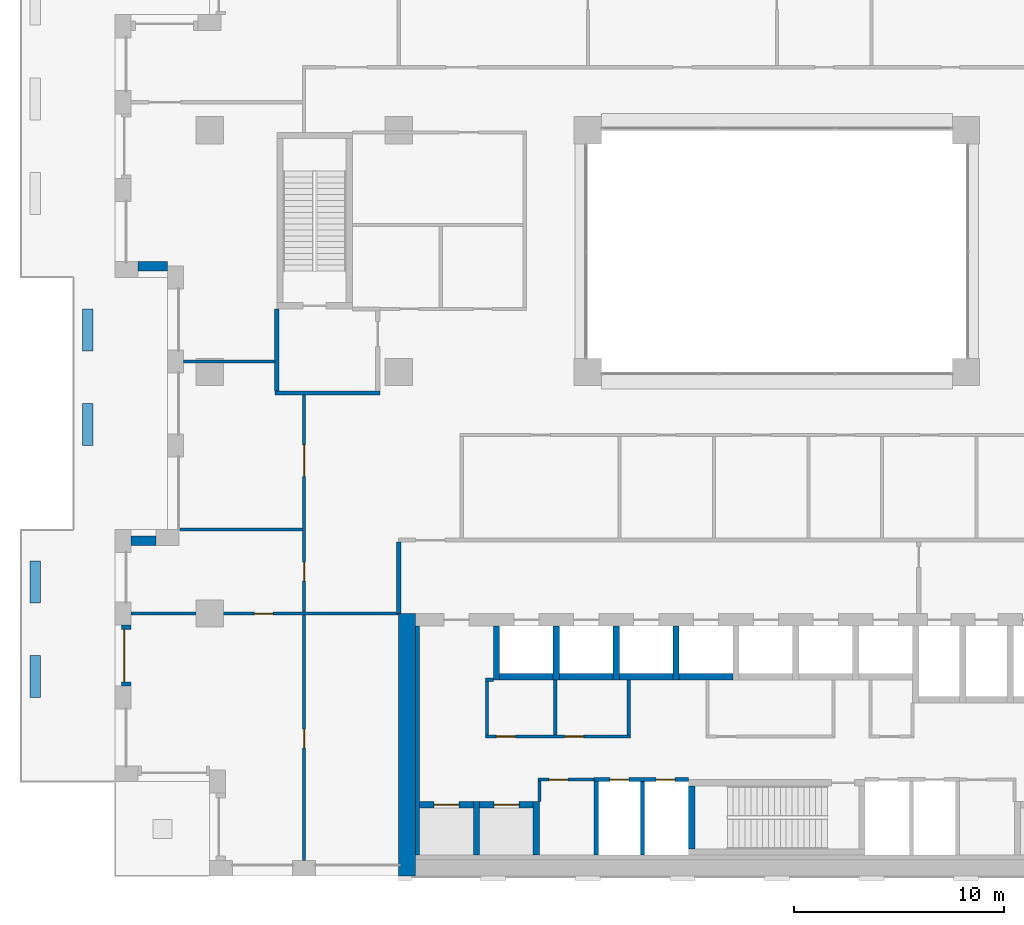
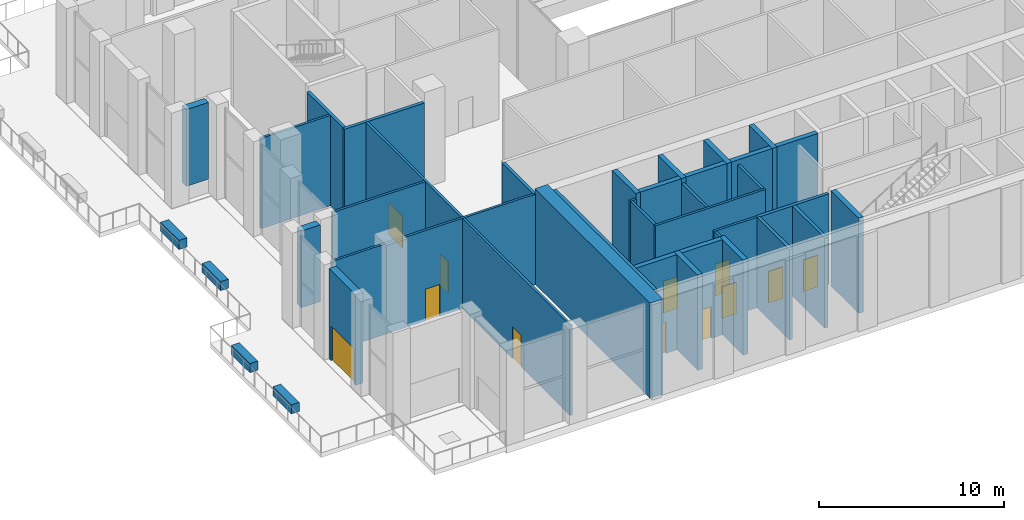
# One storey, part 13 of 21: 40 walls, 12 doors, 12 openings.
"""IFC4 building model written with IfcOpenShell, lengths in metres."""

import ifcopenshell
import ifcopenshell.guid

model = None  # the IFC model being written
_history = None  # IfcOwnerHistory: only IFC2X3 demands one
_inside = {}  # id of a spatial element -> (the spatial element, [elements in it])
_under = {}  # id of a project, library or spatial element -> (it, [spatial elements below it])
_declared = {}  # id of a project -> (the project, [libraries it declares])
_typed = {}  # id of a type object -> (the type object, [elements of that type])
_made_of = {}  # id of a material, layer set ... -> (it, [elements and type objects made of it])


def new_model(schema):
    """Start an empty IFC model of exactly this schema.

    Asked for "IFC4X3", IfcOpenShell would pick the latest addendum, in which some entities
    have other attributes; the version numbers below select the first issue.
    IFC2X3 requires an IfcOwnerHistory on every rooted entity: one is made here for all.
    """
    global model, _history
    if schema == "IFC4X3":
        model = ifcopenshell.file(schema_version=(4, 3, 0, 0))
    else:
        model = ifcopenshell.file(schema=schema)
    _inside.clear()
    _under.clear()
    _declared.clear()
    _typed.clear()
    _made_of.clear()
    _history = None
    if model.schema == "IFC2X3":
        org = make("IfcOrganization", Name="unknown")
        user = make(
            "IfcPersonAndOrganization",
            ThePerson=make("IfcPerson", FamilyName="unknown"),
            TheOrganization=org,
        )
        app = make(
            "IfcApplication",
            ApplicationDeveloper=org,
            Version="unknown",
            ApplicationFullName="unknown",
            ApplicationIdentifier="unknown",
        )
        _history = make(
            "IfcOwnerHistory",
            OwningUser=user,
            OwningApplication=app,
            ChangeAction="ADDED",
            CreationDate=0,
        )
    return model


def make(cls, **values):
    """One entity of the class cls with the attributes given. An attribute that is None is left unset."""
    return model.create_entity(
        cls, **{name: value for name, value in values.items() if value is not None}
    )


def rooted(cls, **values):
    """An entity with a GlobalId (a new one), such as an element, a storey or a relation."""
    return make(cls, GlobalId=ifcopenshell.guid.new(), OwnerHistory=_history, **values)


def si_unit(unit_type, name, prefix=None):
    """IfcSIUnit, for example si_unit("LENGTHUNIT", "METRE", prefix="MILLI")."""
    return make("IfcSIUnit", UnitType=unit_type, Prefix=prefix, Name=name)


def assignment(units):
    """IfcUnitAssignment: the units of a project."""
    return None if units is None else make("IfcUnitAssignment", Units=units)


def point(xyz):
    """IfcCartesianPoint."""
    return None if xyz is None else make("IfcCartesianPoint", Coordinates=xyz)


def direction(xyz):
    """IfcDirection."""
    return None if xyz is None else make("IfcDirection", DirectionRatios=xyz)


def frame(location, z_axis=None, x_axis=None):
    """IfcAxis2Placement3D, a coordinate frame: its origin and axes. An axis left out is left unset."""
    return make(
        "IfcAxis2Placement3D",
        Location=point(location),
        Axis=direction(z_axis),
        RefDirection=direction(x_axis),
    )


def frame_2d(location, x_axis=None):
    """IfcAxis2Placement2D, a coordinate frame in the plane: its origin and x axis."""
    return make(
        "IfcAxis2Placement2D", Location=point(location), RefDirection=direction(x_axis)
    )


def origin():
    """The frame at (0, 0, 0) with its axes left unset."""
    return frame((0.0, 0.0, 0.0))


def place(relative_to, where):
    """IfcLocalPlacement: puts the frame where relative to a parent placement (None: the world)."""
    return make(
        "IfcLocalPlacement", PlacementRelTo=relative_to, RelativePlacement=where
    )


def context(
    kind, dimensions, precision=None, world=None, true_north=None, identifier=None
):
    """IfcGeometricRepresentationContext, for example the 3D "Model" context."""
    return make(
        "IfcGeometricRepresentationContext",
        ContextIdentifier=identifier,
        ContextType=kind,
        CoordinateSpaceDimension=dimensions,
        Precision=precision,
        WorldCoordinateSystem=world,
        TrueNorth=true_north,
    )


def subcontext(parent, identifier, kind, view, scale=None):
    """IfcGeometricRepresentationSubContext, for example "Body" below "Model"."""
    return make(
        "IfcGeometricRepresentationSubContext",
        ContextIdentifier=identifier,
        ContextType=kind,
        ParentContext=parent,
        TargetScale=scale,
        TargetView=view,
    )


def project(units=None, contexts=None):
    """IfcProject with its units and contexts."""
    return rooted(
        "IfcProject",
        Name="project",
        RepresentationContexts=contexts,
        UnitsInContext=assignment(units),
    )


def spatial(cls, under=None, at=None, **own):
    """A site, building, storey or space (cls), placed at a placement, below another one or the project."""
    s = rooted(cls, ObjectPlacement=at, **own)
    if under is not None:
        _under.setdefault(under.id(), (under, []))[1].append(s)
    return s


def profile(cls, at=None, kind="AREA", **sizes):
    """A parametric profile (cls). Its sizes go by their IFC names, for example OverallWidth=200.0."""
    return make(cls, ProfileType=kind, Position=at, **sizes)


def rectangle(**sizes):
    """IfcRectangleProfileDef."""
    return profile("IfcRectangleProfileDef", **sizes)


def extrude(swept, where, along, depth):
    """IfcExtrudedAreaSolid: the profile swept, set in the frame where, extruded along a direction by depth."""
    return make(
        "IfcExtrudedAreaSolid",
        SweptArea=swept,
        Position=where,
        ExtrudedDirection=direction(along),
        Depth=depth,
    )


def shape(context_of_items, identifier, shape_type, items):
    """IfcShapeRepresentation: the items that make up one representation, for example the "Body"."""
    return make(
        "IfcShapeRepresentation",
        ContextOfItems=context_of_items,
        RepresentationIdentifier=identifier,
        RepresentationType=shape_type,
        Items=items,
    )


def material(Name=None, Category=None):
    """IfcMaterial."""
    return make("IfcMaterial", Name=Name, Category=Category)


def layer(
    of_material, thickness, ventilated=None, Name=None, Category=None, Priority=None
):
    """IfcMaterialLayer: one layer of a wall or slab, of a material (None: an air gap)."""
    return make(
        "IfcMaterialLayer",
        Material=of_material,
        LayerThickness=thickness,
        IsVentilated=ventilated,
        Name=Name,
        Category=Category,
        Priority=Priority,
    )


def layer_set(layers, Name=None):
    """IfcMaterialLayerSet."""
    return make("IfcMaterialLayerSet", MaterialLayers=layers, LayerSetName=Name)


def made_of(thing, what):
    """Note that an element or type object is made of a material, layer set ...; save() writes the relation."""
    if what is not None:
        _made_of.setdefault(what.id(), (what, []))[1].append(thing)
    return thing


def type_object(cls, material=None, **own):
    """A type object (cls), such as IfcWallType, which elements share."""
    return made_of(rooted(cls, **own), material)


def element(
    cls,
    number,
    at=None,
    inside=None,
    cuts=None,
    type_object=None,
    material=None,
    context=None,
    identifier="Body",
    shape_type=None,
    held_by="IfcProductDefinitionShape",
    body=None,
    shapes=None,
    **own,
):
    """One element of the class cls, such as IfcWall. Its Tag is "e" and its number.

    at: its placement. inside: the storey or other place that contains it. cuts: it is an
    opening in that element (IfcRelVoidsElement). A single representation is given by context,
    identifier, shape_type and body (its items); several are given by shapes. held_by: the class
    of the entity that holds the representations. save() writes the other relations.
    """
    e = rooted(cls, Tag="e%d" % number, ObjectPlacement=at, **own)
    if body is not None:
        shapes = [shape(context, identifier, shape_type, body)]
    if shapes is not None:
        e.Representation = make(held_by, Representations=shapes)
    if inside is not None:
        _inside.setdefault(inside.id(), (inside, []))[1].append(e)
    if cuts is not None:
        rooted(
            "IfcRelVoidsElement", RelatingBuildingElement=cuts, RelatedOpeningElement=e
        )
    if type_object is not None:
        _typed.setdefault(type_object.id(), (type_object, []))[1].append(e)
    return made_of(e, material)


def fill(opening, filler):
    """IfcRelFillsElement: the door or window that sits in an opening."""
    return rooted(
        "IfcRelFillsElement",
        RelatingOpeningElement=opening,
        RelatedBuildingElement=filler,
    )


def aggregate(whole, parts):
    """IfcRelAggregates: a whole, such as a stair, and the parts it consists of."""
    return rooted("IfcRelAggregates", RelatingObject=whole, RelatedObjects=parts)


def save(model, path):
    """Write the relations noted so far, then the file.

    IfcRelAggregates (storeys below a building ...), IfcRelContainedInSpatialStructure (elements
    in a storey), IfcRelDefinesByType, IfcRelAssociatesMaterial and IfcRelDeclares: one each for
    every whole, place, type object, material and project.
    """
    for whole, parts in _under.values():
        aggregate(whole, parts)
    for where, things in _inside.values():
        rooted(
            "IfcRelContainedInSpatialStructure",
            RelatedElements=things,
            RelatingStructure=where,
        )
    for kind, things in _typed.values():
        rooted("IfcRelDefinesByType", RelatedObjects=things, RelatingType=kind)
    for what, things in _made_of.values():
        rooted("IfcRelAssociatesMaterial", RelatedObjects=things, RelatingMaterial=what)
    for by, libraries in _declared.values():
        rooted("IfcRelDeclares", RelatingContext=by, RelatedDefinitions=libraries)
    model.write(path)


model = new_model("IFC4")

# Units and contexts
model_context = context("Model", 3, precision=1e-05, world=origin(), true_north=direction((0.0, 1.0)))
body_context = subcontext(model_context, "Body", "Model", "MODEL_VIEW")
ifc_project = project(units=[si_unit("LENGTHUNIT", "METRE"), si_unit("AREAUNIT", "SQUARE_METRE"), si_unit("VOLUMEUNIT", "CUBIC_METRE"), si_unit("PLANEANGLEUNIT", "RADIAN"), si_unit("MASSUNIT", "GRAM", prefix="KILO")], contexts=[model_context])

# Site, building, storey
site_placement = place(None, origin())
site = spatial("IfcSite", under=ifc_project, at=site_placement, CompositionType="ELEMENT")
building_placement = place(site_placement, origin())
building = spatial("IfcBuilding", under=site, at=building_placement, Name="Brigalow Station Residences", CompositionType="ELEMENT")
storey_placement = place(building_placement, frame((0.0, 0.0, 77.25)))
storey = spatial("IfcBuildingStorey", under=building, at=storey_placement, Name="L22", CompositionType="ELEMENT", Elevation=77.25)

# Walls
ifc_material_1 = material(Name="Clay brick masonry", Category="masonry")
ifc_layer_1 = layer(ifc_material_1, 0.449951171875)
ifc_layer_set_1 = layer_set([ifc_layer_1], Name="BRICK INFILL WALL 450")
wall_type_1 = type_object("IfcWallType", Name="BRICK INFILL WALL 450", PredefinedType="SOLIDWALL", material=ifc_layer_set_1)
wall_1_placement = place(storey_placement, frame((5.60009765625, 29.02490234375, 0.89990234375), z_axis=(0.0, 0.0, 1.0), x_axis=(1.0, 0.0, 0.0)))
element("IfcWall", 1, at=wall_1_placement, inside=storey, type_object=wall_type_1, Name="L22/ewall/W-L22-42", PredefinedType="SOLIDWALL", context=body_context, shape_type="SweptSolid", body=[
    extrude(rectangle(XDim=1.39990234375, YDim=0.449951171875, at=frame_2d((0.699951171875, 0.0))), origin(), (0.0, 0.0, 1.0), 5.080078125),
])
wall_2_placement = place(storey_placement, frame((6.449951171875, 15.97509765625, 0.89990234375), z_axis=(0.0, 0.0, 1.0), x_axis=(-1.0, 0.0, 0.0)))
element("IfcWall", 2, at=wall_2_placement, inside=storey, type_object=wall_type_1, Name="L22/ewall/W-L22-46", PredefinedType="SOLIDWALL", context=body_context, shape_type="SweptSolid", body=[
    extrude(rectangle(XDim=1.199951171875, YDim=0.449951171875, at=frame_2d((0.60009765625, 0.0))), origin(), (0.0, 0.0, 1.0), 5.080078125),
])

# Wall, opening, door
wall_3_placement = place(storey_placement, frame((5.02490234375, 11.949951171875, 0.0), z_axis=(0.0, 0.0, 1.0), x_axis=(0.0, -1.0, 0.0)))
wall_3 = element("IfcWall", 3, at=wall_3_placement, inside=storey, type_object=wall_type_1, Name="L22/ewall/W-L22-48", PredefinedType="SOLIDWALL", context=body_context, shape_type="SweptSolid", body=[
    extrude(rectangle(XDim=2.89990234375, YDim=0.449951171875, at=frame_2d((1.449951171875, 0.0))), origin(), (0.0, 0.0, 1.0), 5.97998046875),
])
opening_1_placement = place(wall_3_placement, frame((0.199951171875, 0.0, 0.0)))
opening_1 = element("IfcOpeningElement", 4, at=opening_1_placement, cuts=wall_3, Name="Opening D-B2500", PredefinedType="OPENING", context=body_context, shape_type="SweptSolid", body=[
    extrude(rectangle(XDim=2.5, YDim=2.300048828125, at=frame_2d((1.25, 1.14990234375))), frame((0.0, 0.23486328125, 0.0), z_axis=(0.0, -1.0, 0.0), x_axis=(1.0, 0.0, 0.0)), (0.0, 0.0, 1.0), 0.469970703125),
])
ifc_material_2 = material(Name="Anodised aluminium frame with double glazing", Category="aluminium")
door_type_1 = type_object("IfcDoorType", Name="BALCONY SLIDING DOOR 2500x2300", OperationType="SLIDING_TO_LEFT", PredefinedType="DOOR", material=ifc_material_2)
door_1_placement = place(opening_1_placement, origin())
door_1 = element("IfcDoor", 5, at=door_1_placement, inside=storey, type_object=door_type_1, Name="L22/balcony-door/W-L22-48", OperationType="SLIDING_TO_LEFT", OverallHeight=2.300048828125, OverallWidth=2.5, PredefinedType="DOOR", context=body_context, shape_type="SweptSolid", body=[
    extrude(rectangle(XDim=2.5, YDim=2.300048828125, at=frame_2d((1.25, 1.14990234375))), frame((0.0, -0.06982421875, 0.0), z_axis=(0.0, -1.0, 0.0), x_axis=(1.0, 0.0, 0.0)), (0.0, 0.0, 1.0), 0.050048828125),
])
fill(opening_1, door_1)

# Walls
ifc_material_3 = material(Name="Concrete C65", Category="concrete")
ifc_layer_2 = layer(ifc_material_3, 0.199951171875)
ifc_layer_set_2 = layer_set([ifc_layer_2], Name="CORE SHEAR WALL 200 C65")
wall_type_2 = type_object("IfcWallType", Name="CORE SHEAR WALL 200 C65", PredefinedType="SHEAR", material=ifc_layer_set_2)
wall_4_placement = place(storey_placement, frame((18.89990234375, 1.0, 0.0), z_axis=(0.0, 0.0, 1.0), x_axis=(0.0, 1.0, 0.0)))
element("IfcWall", 6, at=wall_4_placement, inside=storey, type_object=wall_type_2, Name="CORE WALL LIN-W L22", PredefinedType="SHEAR", context=body_context, shape_type="SweptSolid", body=[
    extrude(rectangle(XDim=10.89990234375, YDim=0.199951171875, at=frame_2d((5.449951171875, 0.0))), origin(), (0.0, 0.0, 1.0), 6.300048828125),
])
ifc_material_4 = material(Name="Concrete C65", Category="concrete")
ifc_layer_3 = layer(ifc_material_4, 0.300048828125)
ifc_layer_set_3 = layer_set([ifc_layer_3], Name="CORE SHEAR WALL 300 C65")
wall_type_3 = type_object("IfcWallType", Name="CORE SHEAR WALL 300 C65", PredefinedType="SHEAR", material=ifc_layer_set_3)
wall_5_placement = place(storey_placement, frame((22.800048828125, 9.5, 0.0), z_axis=(0.0, 0.0, 1.0), x_axis=(1.0, 0.0, 0.0)))
element("IfcWall", 7, at=wall_5_placement, inside=storey, type_object=wall_type_3, Name="CORE WALL SH-P1-S L22", PredefinedType="SHEAR", context=body_context, shape_type="SweptSolid", body=[
    extrude(rectangle(XDim=2.550048828125, YDim=0.300048828125, at=frame_2d((1.27490234375, 0.0))), origin(), (0.0, 0.0, 1.0), 6.300048828125),
])
wall_6_placement = place(storey_placement, frame((22.64990234375, 9.35009765625, 0.0), z_axis=(0.0, 0.0, 1.0), x_axis=(0.0, 1.0, 0.0)))
element("IfcWall", 8, at=wall_6_placement, inside=storey, type_object=wall_type_3, Name="CORE WALL SH-P1-W L22", PredefinedType="SHEAR", context=body_context, shape_type="SweptSolid", body=[
    extrude(rectangle(XDim=2.5498046875, YDim=0.300048828125, at=frame_2d((1.27490234375, 0.0))), origin(), (0.0, 0.0, 1.0), 6.300048828125),
])
wall_7_placement = place(storey_placement, frame((25.64990234375, 9.5, 0.0), z_axis=(0.0, 0.0, 1.0), x_axis=(1.0, 0.0, 0.0)))
element("IfcWall", 9, at=wall_7_placement, inside=storey, type_object=wall_type_3, Name="CORE WALL SH-P2-S L22", PredefinedType="SHEAR", context=body_context, shape_type="SweptSolid", body=[
    extrude(rectangle(XDim=2.550048828125, YDim=0.300048828125, at=frame_2d((1.27490234375, 0.0))), origin(), (0.0, 0.0, 1.0), 6.300048828125),
])
wall_8_placement = place(storey_placement, frame((25.5, 9.35009765625, 0.0), z_axis=(0.0, 0.0, 1.0), x_axis=(0.0, 1.0, 0.0)))
element("IfcWall", 10, at=wall_8_placement, inside=storey, type_object=wall_type_3, Name="CORE WALL SH-P2-W L22", PredefinedType="SHEAR", context=body_context, shape_type="SweptSolid", body=[
    extrude(rectangle(XDim=2.5498046875, YDim=0.300048828125, at=frame_2d((1.27490234375, 0.0))), origin(), (0.0, 0.0, 1.0), 6.300048828125),
])
wall_9_placement = place(storey_placement, frame((28.5, 9.5, 0.0), z_axis=(0.0, 0.0, 1.0), x_axis=(1.0, 0.0, 0.0)))
element("IfcWall", 11, at=wall_9_placement, inside=storey, type_object=wall_type_3, Name="CORE WALL SH-P3-S L22", PredefinedType="SHEAR", context=body_context, shape_type="SweptSolid", body=[
    extrude(rectangle(XDim=2.550048828125, YDim=0.300048828125, at=frame_2d((1.27490234375, 0.0))), origin(), (0.0, 0.0, 1.0), 6.300048828125),
])
for number, where, z_axis, x_axis, name in (
    (12, (28.35009765625, 9.35009765625, 0.0), (0.0, 0.0, 1.0), (0.0, 1.0, 0.0), "CORE WALL SH-P3-W L22"),
    (13, (31.35009765625, 9.5, 0.0), (0.0, 0.0, 1.0), (1.0, 0.0, 0.0), "CORE WALL SH-P4-S L22"),
    (14, (31.199951171875, 9.35009765625, 0.0), (0.0, 0.0, 1.0), (0.0, 1.0, 0.0), "CORE WALL SH-P4-W L22"),
):
    element("IfcWall", number, at=place(storey_placement, frame(where, z_axis=z_axis, x_axis=x_axis)), inside=storey, type_object=wall_type_3, Name=name, PredefinedType="SHEAR", context=body_context, shape_type="SweptSolid", body=[
        extrude(rectangle(XDim=2.5498046875, YDim=0.300048828125, at=frame_2d((1.27490234375, 0.0))), origin(), (0.0, 0.0, 1.0), 6.300048828125),
    ])

# Wall, opening, door
wall_10_placement = place(storey_placement, frame((19.0, 3.39990234375, 0.0), z_axis=(0.0, 0.0, 1.0), x_axis=(1.0, 0.0, 0.0)))
wall_10 = element("IfcWall", 15, at=wall_10_placement, inside=storey, type_object=wall_type_3, Name="CORE WALL SH-C1-N L22", PredefinedType="SHEAR", context=body_context, shape_type="SweptSolid", body=[
    extrude(rectangle(XDim=2.550048828125, YDim=0.300048828125, at=frame_2d((1.27490234375, 0.0))), origin(), (0.0, 0.0, 1.0), 6.300048828125),
])
opening_2_placement = place(wall_10_placement, frame((0.675048828125, 0.0, 0.0)))
opening_2 = element("IfcOpeningElement", 16, at=opening_2_placement, cuts=wall_10, Name="Opening LD-LB1", PredefinedType="OPENING", context=body_context, shape_type="SweptSolid", body=[
    extrude(rectangle(XDim=1.199951171875, YDim=2.10009765625, at=frame_2d((0.60009765625, 1.050048828125))), frame((0.0, 0.16015625, 0.0), z_axis=(0.0, -1.0, 0.0), x_axis=(1.0, 0.0, 0.0)), (0.0, 0.0, 1.0), 0.320068359375),
])
ifc_material_5 = material(Name="Stainless steel sliding door leaves", Category="steel")
door_type_2 = type_object("IfcDoorType", Name="LIFT LANDING DOOR 1200 x 2100", OperationType="DOUBLE_DOOR_SLIDING", PredefinedType="DOOR", material=ifc_material_5)
door_2_placement = place(opening_2_placement, origin())
door_2 = element("IfcDoor", 17, at=door_2_placement, inside=storey, type_object=door_type_2, Name="LANDING DOOR LB1", OperationType="DOUBLE_DOOR_SLIDING", OverallHeight=2.10009765625, OverallWidth=1.199951171875, PredefinedType="DOOR", context=body_context, shape_type="SweptSolid", body=[
    extrude(rectangle(XDim=1.199951171875, YDim=2.10009765625, at=frame_2d((0.60009765625, 1.050048828125))), frame((0.0, 0.02490234375, 0.0), z_axis=(0.0, -1.0, 0.0), x_axis=(1.0, 0.0, 0.0)), (0.0, 0.0, 1.0), 0.050048828125),
])
fill(opening_2, door_2)

wall_11_placement = place(storey_placement, frame((21.85009765625, 3.39990234375, 0.0), z_axis=(0.0, 0.0, 1.0), x_axis=(1.0, 0.0, 0.0)))
wall_11 = element("IfcWall", 18, at=wall_11_placement, inside=storey, type_object=wall_type_3, Name="CORE WALL SH-C2-N L22", PredefinedType="SHEAR", context=body_context, shape_type="SweptSolid", body=[
    extrude(rectangle(XDim=2.5498046875, YDim=0.300048828125, at=frame_2d((1.27490234375, 0.0))), origin(), (0.0, 0.0, 1.0), 6.300048828125),
])
opening_3_placement = place(wall_11_placement, frame((0.675048828125, 0.0, 0.0)))
opening_3 = element("IfcOpeningElement", 19, at=opening_3_placement, cuts=wall_11, Name="Opening LD-LB2", PredefinedType="OPENING", context=body_context, shape_type="SweptSolid", body=[
    extrude(rectangle(XDim=1.199951171875, YDim=2.10009765625, at=frame_2d((0.60009765625, 1.050048828125))), frame((0.0, 0.16015625, 0.0), z_axis=(0.0, -1.0, 0.0), x_axis=(1.0, 0.0, 0.0)), (0.0, 0.0, 1.0), 0.320068359375),
])
door_3_placement = place(opening_3_placement, origin())
door_3 = element("IfcDoor", 20, at=door_3_placement, inside=storey, type_object=door_type_2, Name="LANDING DOOR LB2", OperationType="DOUBLE_DOOR_SLIDING", OverallHeight=2.10009765625, OverallWidth=1.199951171875, PredefinedType="DOOR", context=body_context, shape_type="SweptSolid", body=[
    extrude(rectangle(XDim=1.199951171875, YDim=2.10009765625, at=frame_2d((0.60009765625, 1.050048828125))), frame((0.0, 0.02490234375, 0.0), z_axis=(0.0, -1.0, 0.0), x_axis=(1.0, 0.0, 0.0)), (0.0, 0.0, 1.0), 0.050048828125),
])
fill(opening_3, door_3)

# Walls
for number, where, z_axis, x_axis, name in (
    (21, (21.699951171875, 1.0, 0.0), (0.0, 0.0, 1.0), (0.0, 1.0, 0.0), "CORE WALL SH-C2-W L22"),
    (22, (24.550048828125, 1.0, 0.0), (0.0, 0.0, 1.0), (0.0, 1.0, 0.0), "CORE WALL SH-C2-E L22"),
):
    element("IfcWall", number, at=place(storey_placement, frame(where, z_axis=z_axis, x_axis=x_axis)), inside=storey, type_object=wall_type_3, Name=name, PredefinedType="SHEAR", context=body_context, shape_type="SweptSolid", body=[
        extrude(rectangle(XDim=2.550048828125, YDim=0.300048828125, at=frame_2d((1.27490234375, 0.0))), origin(), (0.0, 0.0, 1.0), 6.300048828125),
    ])
wall_12_placement = place(storey_placement, frame((31.949951171875, 1.300048828125, 0.0), z_axis=(0.0, 0.0, 1.0), x_axis=(0.0, 1.0, 0.0)))
element("IfcWall", 23, at=wall_12_placement, inside=storey, type_object=wall_type_3, Name="CORE WALL ST-S2-W L22", PredefinedType="SHEAR", context=body_context, shape_type="SweptSolid", body=[
    extrude(rectangle(XDim=3.0, YDim=0.300048828125, at=frame_2d((1.5, 0.0))), origin(), (0.0, 0.0, 1.0), 6.300048828125),
])
ifc_material_6 = material(Name="Concrete C65", Category="concrete")
ifc_layer_4 = layer(ifc_material_6, 0.800048828125)
ifc_layer_set_4 = layer_set([ifc_layer_4], Name="CORE SHEAR WALL 800 C65")
wall_type_4 = type_object("IfcWallType", Name="CORE SHEAR WALL 800 C65", PredefinedType="SHEAR", material=ifc_layer_set_4)
wall_13_placement = place(storey_placement, frame((18.39990234375, 0.0, 0.0), z_axis=(0.0, 0.0, 1.0), x_axis=(0.0, 1.0, 0.0)))
element("IfcWall", 24, at=wall_13_placement, inside=storey, type_object=wall_type_4, Name="CORE WALL OUT-W L22", PredefinedType="SHEAR", context=body_context, shape_type="SweptSolid", body=[
    extrude(rectangle(XDim=12.5, YDim=0.800048828125, at=frame_2d((6.25, 0.0))), origin(), (0.0, 0.0, 1.0), 6.300048828125),
])

# Wall, openings, doors
ifc_material_7 = material(Name="Concrete blockwork", Category="masonry")
ifc_layer_5 = layer(ifc_material_7, 0.199951171875)
ifc_layer_set_5 = layer_set([ifc_layer_5], Name="FIRE RATED CORE PARTITION 200")
wall_type_5 = type_object("IfcWallType", Name="FIRE RATED CORE PARTITION 200", PredefinedType="PARTITIONING", material=ifc_layer_set_5)
wall_14_placement = place(storey_placement, frame((27.300048828125, 4.60009765625, 0.0), z_axis=(0.0, 0.0, 1.0), x_axis=(1.0, 0.0, 0.0)))
wall_14 = element("IfcWall", 25, at=wall_14_placement, inside=storey, type_object=wall_type_5, Name="PW-5017", PredefinedType="PARTITIONING", context=body_context, shape_type="SweptSolid", body=[
    extrude(rectangle(XDim=4.5, YDim=0.199951171875, at=frame_2d((2.25, 0.0))), origin(), (0.0, 0.0, 1.0), 5.97998046875),
])
opening_4_placement = place(wall_14_placement, frame((0.75, 0.0, 0.0)))
opening_4 = element("IfcOpeningElement", 26, at=opening_4_placement, cuts=wall_14, Name="Opening D-5007", PredefinedType="OPENING", context=body_context, shape_type="SweptSolid", body=[
    extrude(rectangle(XDim=0.89990234375, YDim=2.10009765625, at=frame_2d((0.449951171875, 1.050048828125))), frame((0.0, 0.10986328125, 0.0), z_axis=(0.0, -1.0, 0.0), x_axis=(1.0, 0.0, 0.0)), (0.0, 0.0, 1.0), 0.219970703125),
])
opening_5_placement = place(wall_14_placement, frame((2.949951171875, 0.0, 0.0)))
opening_5 = element("IfcOpeningElement", 27, at=opening_5_placement, cuts=wall_14, Name="Opening D-5008", PredefinedType="OPENING", context=body_context, shape_type="SweptSolid", body=[
    extrude(rectangle(XDim=0.89990234375, YDim=2.10009765625, at=frame_2d((0.449951171875, 1.050048828125))), frame((0.0, 0.10986328125, 0.0), z_axis=(0.0, -1.0, 0.0), x_axis=(1.0, 0.0, 0.0)), (0.0, 0.0, 1.0), 0.219970703125),
])
ifc_material_8 = material(Name="Steel fire door leaf in steel frame", Category="steel")
door_type_3 = type_object("IfcDoorType", Name="RISER ACCESS DOOR 900 x 2100 FD120", OperationType="SINGLE_SWING_LEFT", PredefinedType="DOOR", material=ifc_material_8)
door_4_placement = place(opening_4_placement, frame((0.89990234375, 0.0, 0.0), z_axis=(0.0, 0.0, 1.0), x_axis=(-1.0, 0.0, 0.0)))
door_4 = element("IfcDoor", 28, at=door_4_placement, inside=storey, type_object=door_type_3, Name="D-5007", OperationType="SINGLE_SWING_LEFT", OverallHeight=2.10009765625, OverallWidth=0.89990234375, PredefinedType="DOOR", context=body_context, shape_type="SweptSolid", body=[
    extrude(rectangle(XDim=0.89990234375, YDim=2.10009765625, at=frame_2d((0.449951171875, 1.050048828125))), frame((0.0, 0.02490234375, 0.0), z_axis=(0.0, -1.0, 0.0), x_axis=(1.0, 0.0, 0.0)), (0.0, 0.0, 1.0), 0.050048828125),
])
fill(opening_4, door_4)
door_5_placement = place(opening_5_placement, frame((0.89990234375, 0.0, 0.0), z_axis=(0.0, 0.0, 1.0), x_axis=(-1.0, 0.0, 0.0)))
door_5 = element("IfcDoor", 29, at=door_5_placement, inside=storey, type_object=door_type_3, Name="D-5008", OperationType="SINGLE_SWING_RIGHT", OverallHeight=2.10009765625, OverallWidth=0.89990234375, PredefinedType="DOOR", context=body_context, shape_type="SweptSolid", body=[
    extrude(rectangle(XDim=0.89990234375, YDim=2.10009765625, at=frame_2d((0.449951171875, 1.050048828125))), frame((0.0, 0.02490234375, 0.0), z_axis=(0.0, -1.0, 0.0), x_axis=(1.0, 0.0, 0.0)), (0.0, 0.0, 1.0), 0.050048828125),
])
fill(opening_5, door_5)

# Walls
wall_15_placement = place(storey_placement, frame((12.10009765625, 23.0, 0.0), z_axis=(0.0, 0.0, 1.0), x_axis=(1.0, 0.0, 0.0)))
element("IfcWall", 30, at=wall_15_placement, inside=storey, type_object=wall_type_5, Name="PW-5023", PredefinedType="PARTITIONING", context=body_context, shape_type="SweptSolid", body=[
    extrude(rectangle(XDim=5.0, YDim=0.199951171875, at=frame_2d((2.5, 0.0))), origin(), (0.0, 0.0, 1.0), 5.97998046875),
])
wall_16_placement = place(storey_placement, frame((27.39990234375, 1.0, 0.0), z_axis=(0.0, 0.0, 1.0), x_axis=(0.0, 1.0, 0.0)))
element("IfcWall", 31, at=wall_16_placement, inside=storey, type_object=wall_type_5, Name="PW-5027", PredefinedType="PARTITIONING", context=body_context, shape_type="SweptSolid", body=[
    extrude(rectangle(XDim=3.52490234375, YDim=0.199951171875, at=frame_2d((1.762451171875, 0.0))), origin(), (0.0, 0.0, 1.0), 5.97998046875),
])
wall_17_placement = place(storey_placement, frame((29.60009765625, 1.0, 0.0), z_axis=(0.0, 0.0, 1.0), x_axis=(0.0, 1.0, 0.0)))
element("IfcWall", 32, at=wall_17_placement, inside=storey, type_object=wall_type_5, Name="PW-5006", PredefinedType="PARTITIONING", context=body_context, shape_type="SweptSolid", body=[
    extrude(rectangle(XDim=3.5, YDim=0.199951171875, at=frame_2d((1.75, 0.0))), origin(), (0.0, 0.0, 1.0), 5.97998046875),
])
wall_18_placement = place(storey_placement, frame((18.0, 12.5, 0.0), z_axis=(0.0, 0.0, 1.0), x_axis=(0.0, 1.0, 0.0)))
element("IfcWall", 33, at=wall_18_placement, inside=storey, type_object=wall_type_5, Name="PW-5013", PredefinedType="PARTITIONING", context=body_context, shape_type="SweptSolid", body=[
    extrude(rectangle(XDim=3.39990234375, YDim=0.199951171875, at=frame_2d((1.699951171875, 0.0))), origin(), (0.0, 0.0, 1.0), 5.97998046875),
])
wall_19_placement = place(storey_placement, frame((12.199951171875, 23.10009765625, 0.0), z_axis=(0.0, 0.0, 1.0), x_axis=(0.0, 1.0, 0.0)))
element("IfcWall", 34, at=wall_19_placement, inside=storey, type_object=wall_type_5, Name="PW-5034", PredefinedType="PARTITIONING", context=body_context, shape_type="SweptSolid", body=[
    extrude(rectangle(XDim=3.89990234375, YDim=0.199951171875, at=frame_2d((1.949951171875, 0.0))), origin(), (0.0, 0.0, 1.0), 5.97998046875),
])

# Wall, opening, door
ifc_material_9 = material(Name="Plasterboard on steel stud partition", Category="steel")
ifc_layer_6 = layer(ifc_material_9, 0.14990234375)
ifc_layer_set_6 = layer_set([ifc_layer_6], Name="FLAT PARTITION 150")
wall_type_6 = type_object("IfcWallType", Name="FLAT PARTITION 150", PredefinedType="PARTITIONING", material=ifc_layer_set_6)
wall_20_placement = place(storey_placement, frame((5.25, 12.5, 0.0), z_axis=(0.0, 0.0, 1.0), x_axis=(1.0, 0.0, 0.0)))
wall_20 = element("IfcWall", 35, at=wall_20_placement, inside=storey, type_object=wall_type_6, Name="PW-SA108", PredefinedType="PARTITIONING", context=body_context, shape_type="SweptSolid", body=[
    extrude(rectangle(XDim=12.75, YDim=0.14990234375, at=frame_2d((6.375, 0.0))), origin(), (0.0, 0.0, 1.0), 5.97998046875),
])
opening_6_placement = place(wall_20_placement, frame((5.875, 0.0, 0.0)))
opening_6 = element("IfcOpeningElement", 36, at=opening_6_placement, cuts=wall_20, Name="Opening D-SA104", PredefinedType="OPENING", context=body_context, shape_type="SweptSolid", body=[
    extrude(rectangle(XDim=0.89990234375, YDim=2.10009765625, at=frame_2d((0.449951171875, 1.050048828125))), frame((0.0, 0.0849609375, 0.0), z_axis=(0.0, -1.0, 0.0), x_axis=(1.0, 0.0, 0.0)), (0.0, 0.0, 1.0), 0.169921875),
])
ifc_material_10 = material(Name="Solid-core timber door leaf", Category="wood")
door_type_4 = type_object("IfcDoorType", Name="INTERNAL DOOR 900 x 2100", OperationType="SINGLE_SWING_LEFT", PredefinedType="DOOR", material=ifc_material_10)
door_6_placement = place(opening_6_placement, origin())
door_6 = element("IfcDoor", 37, at=door_6_placement, inside=storey, type_object=door_type_4, Name="D-SA104", OperationType="SINGLE_SWING_RIGHT", OverallHeight=2.10009765625, OverallWidth=0.89990234375, PredefinedType="DOOR", context=body_context, shape_type="SweptSolid", body=[
    extrude(rectangle(XDim=0.89990234375, YDim=2.10009765625, at=frame_2d((0.449951171875, 1.050048828125))), frame((0.0, 0.02490234375, 0.0), z_axis=(0.0, -1.0, 0.0), x_axis=(1.0, 0.0, 0.0)), (0.0, 0.0, 1.0), 0.050048828125),
])
fill(opening_6, door_6)

# Walls
wall_21_placement = place(storey_placement, frame((7.60009765625, 16.5, 0.0), z_axis=(0.0, 0.0, 1.0), x_axis=(1.0, 0.0, 0.0)))
element("IfcWall", 38, at=wall_21_placement, inside=storey, type_object=wall_type_6, Name="PW-SA111", PredefinedType="PARTITIONING", context=body_context, shape_type="SweptSolid", body=[
    extrude(rectangle(XDim=5.824951171875, YDim=0.14990234375, at=frame_2d((2.91259765625, 0.0))), origin(), (0.0, 0.0, 1.0), 5.97998046875),
])
wall_22_placement = place(storey_placement, frame((7.75, 24.5, 0.0), z_axis=(0.0, 0.0, 1.0), x_axis=(1.0, 0.0, 0.0)))
element("IfcWall", 39, at=wall_22_placement, inside=storey, type_object=wall_type_6, Name="PW-SA112", PredefinedType="PARTITIONING", context=body_context, shape_type="SweptSolid", body=[
    extrude(rectangle(XDim=4.35009765625, YDim=0.14990234375, at=frame_2d((2.175048828125, 0.0))), origin(), (0.0, 0.0, 1.0), 5.97998046875),
])

# Wall, opening, door
wall_23_placement = place(storey_placement, frame((13.5, 0.75, 0.0), z_axis=(0.0, 0.0, 1.0), x_axis=(0.0, 1.0, 0.0)))
wall_23 = element("IfcWall", 40, at=wall_23_placement, inside=storey, type_object=wall_type_6, Name="PW-SA121", PredefinedType="PARTITIONING", context=body_context, shape_type="SweptSolid", body=[
    extrude(rectangle(XDim=11.675048828125, YDim=0.14990234375, at=frame_2d((5.83740234375, 0.0))), origin(), (0.0, 0.0, 1.0), 5.97998046875),
])
opening_7_placement = place(wall_23_placement, frame((5.35009765625, 0.0, 0.0)))
opening_7 = element("IfcOpeningElement", 41, at=opening_7_placement, cuts=wall_23, Name="Opening D-SA105", PredefinedType="OPENING", context=body_context, shape_type="SweptSolid", body=[
    extrude(rectangle(XDim=0.89990234375, YDim=2.10009765625, at=frame_2d((0.449951171875, 1.050048828125))), frame((0.0, 0.0849609375, 0.0), z_axis=(0.0, -1.0, 0.0), x_axis=(1.0, 0.0, 0.0)), (0.0, 0.0, 1.0), 0.169921875),
])
door_7_placement = place(opening_7_placement, frame((0.89990234375, 0.0, 0.0), z_axis=(0.0, 0.0, 1.0), x_axis=(-1.0, 0.0, 0.0)))
door_7 = element("IfcDoor", 42, at=door_7_placement, inside=storey, type_object=door_type_4, Name="D-SA105", OperationType="SINGLE_SWING_RIGHT", OverallHeight=2.10009765625, OverallWidth=0.89990234375, PredefinedType="DOOR", context=body_context, shape_type="SweptSolid", body=[
    extrude(rectangle(XDim=0.89990234375, YDim=2.10009765625, at=frame_2d((0.449951171875, 1.050048828125))), frame((0.0, 0.02490234375, 0.0), z_axis=(0.0, -1.0, 0.0), x_axis=(1.0, 0.0, 0.0)), (0.0, 0.0, 1.0), 0.050048828125),
])
fill(opening_7, door_7)

# Wall, openings, doors
wall_24_placement = place(storey_placement, frame((13.5, 12.574951171875, 0.0), z_axis=(0.0, 0.0, 1.0), x_axis=(0.0, 1.0, 0.0)))
wall_24 = element("IfcWall", 43, at=wall_24_placement, inside=storey, type_object=wall_type_6, Name="PW-SA122", PredefinedType="PARTITIONING", context=body_context, shape_type="SweptSolid", body=[
    extrude(rectangle(XDim=10.324951171875, YDim=0.14990234375, at=frame_2d((5.16259765625, 0.0))), origin(), (0.0, 0.0, 1.0), 5.97998046875),
])
opening_8_placement = place(wall_24_placement, frame((1.47509765625, 0.0, 0.0)))
opening_8 = element("IfcOpeningElement", 44, at=opening_8_placement, cuts=wall_24, Name="Opening D-SA103", PredefinedType="OPENING", context=body_context, shape_type="SweptSolid", body=[
    extrude(rectangle(XDim=0.89990234375, YDim=2.10009765625, at=frame_2d((0.449951171875, 1.050048828125))), frame((0.0, 0.0849609375, 0.0), z_axis=(0.0, -1.0, 0.0), x_axis=(1.0, 0.0, 0.0)), (0.0, 0.0, 1.0), 0.169921875),
])
opening_9_placement = place(wall_24_placement, frame((6.449951171875, 0.0, 0.0)))
opening_9 = element("IfcOpeningElement", 45, at=opening_9_placement, cuts=wall_24, Name="Opening D-SA106", PredefinedType="OPENING", context=body_context, shape_type="SweptSolid", body=[
    extrude(rectangle(XDim=1.5, YDim=2.10009765625, at=frame_2d((0.75, 1.050048828125))), frame((0.0, 0.0849609375, 0.0), z_axis=(0.0, -1.0, 0.0), x_axis=(1.0, 0.0, 0.0)), (0.0, 0.0, 1.0), 0.169921875),
])
door_8_placement = place(opening_8_placement, origin())
door_8 = element("IfcDoor", 46, at=door_8_placement, inside=storey, type_object=door_type_4, Name="D-SA103", OperationType="SINGLE_SWING_RIGHT", OverallHeight=2.10009765625, OverallWidth=0.89990234375, PredefinedType="DOOR", context=body_context, shape_type="SweptSolid", body=[
    extrude(rectangle(XDim=0.89990234375, YDim=2.10009765625, at=frame_2d((0.449951171875, 1.050048828125))), frame((0.0, 0.02490234375, 0.0), z_axis=(0.0, -1.0, 0.0), x_axis=(1.0, 0.0, 0.0)), (0.0, 0.0, 1.0), 0.050048828125),
])
fill(opening_8, door_8)
ifc_material_11 = material(Name="Solid-core timber door leaf", Category="wood")
door_type_5 = type_object("IfcDoorType", Name="INTERNAL DOUBLE DOOR 1500 x 2100", OperationType="DOUBLE_DOOR_SINGLE_SWING", PredefinedType="DOOR", material=ifc_material_11)
door_9_placement = place(opening_9_placement, origin())
door_9 = element("IfcDoor", 47, at=door_9_placement, inside=storey, type_object=door_type_5, Name="D-SA106", OperationType="DOUBLE_DOOR_SINGLE_SWING", OverallHeight=2.10009765625, OverallWidth=1.5, PredefinedType="DOOR", context=body_context, shape_type="SweptSolid", body=[
    extrude(rectangle(XDim=1.5, YDim=2.10009765625, at=frame_2d((0.75, 1.050048828125))), frame((0.0, 0.02490234375, 0.0), z_axis=(0.0, -1.0, 0.0), x_axis=(1.0, 0.0, 0.0)), (0.0, 0.0, 1.0), 0.050048828125),
])
fill(opening_9, door_9)

# Walls
ifc_material_12 = material(Name="Concrete C50 precast", Category="concrete")
ifc_layer_7 = layer(ifc_material_12, 0.5)
ifc_layer_set_7 = layer_set([ifc_layer_7], Name="PLANTER 500x600")
wall_type_7 = type_object("IfcWallType", Name="PLANTER 500x600", PredefinedType="USERDEFINED", material=ifc_layer_set_7)
for number, where, z_axis, x_axis, name in (
    (48, (3.199951171875, 27.0, -0.0400390625), (0.0, 0.0, 1.0), (0.0, -1.0, 0.0), "L22/planter/1-18"),
    (49, (3.199951171875, 22.5, -0.0400390625), (0.0, 0.0, 1.0), (0.0, -1.0, 0.0), "L22/planter/1-19"),
    (50, (0.699951171875, 15.0, -0.0400390625), (0.0, 0.0, 1.0), (0.0, -1.0, 0.0), "L22/planter/1-20"),
    (51, (0.699951171875, 10.5, -0.0400390625), (0.0, 0.0, 1.0), (0.0, -1.0, 0.0), "L22/planter/1-21"),
):
    element("IfcWall", number, at=place(storey_placement, frame(where, z_axis=z_axis, x_axis=x_axis)), inside=storey, type_object=wall_type_7, Name=name, ObjectType="PLANTER", PredefinedType="USERDEFINED", context=body_context, shape_type="SweptSolid", body=[
        extrude(rectangle(XDim=2.0, YDim=0.5, at=frame_2d((1.0, 0.0))), origin(), (0.0, 0.0, 1.0), 0.60009765625),
    ])

# Wall, opening, door
ifc_material_13 = material(Name="Plasterboard on steel studs", Category="steel")
ifc_layer_8 = layer(ifc_material_13, 0.14990234375)
ifc_layer_set_8 = layer_set([ifc_layer_8], Name="SERVICE ROOM PARTITION 150")
wall_type_8 = type_object("IfcWallType", Name="SERVICE ROOM PARTITION 150", PredefinedType="PARTITIONING", material=ifc_layer_set_8)
wall_25_placement = place(storey_placement, frame((24.625, 4.60009765625, 0.0), z_axis=(0.0, 0.0, 1.0), x_axis=(1.0, 0.0, 0.0)))
wall_25 = element("IfcWall", 52, at=wall_25_placement, inside=storey, type_object=wall_type_8, Name="PW-5155", PredefinedType="PARTITIONING", context=body_context, shape_type="SweptSolid", body=[
    extrude(rectangle(XDim=2.675048828125, YDim=0.14990234375, at=frame_2d((1.33740234375, 0.0))), origin(), (0.0, 0.0, 1.0), 5.97998046875),
])
opening_10_placement = place(wall_25_placement, frame((0.52490234375, 0.0, 0.0)))
opening_10 = element("IfcOpeningElement", 53, at=opening_10_placement, cuts=wall_25, Name="Opening D-5087", PredefinedType="OPENING", context=body_context, shape_type="SweptSolid", body=[
    extrude(rectangle(XDim=0.89990234375, YDim=2.10009765625, at=frame_2d((0.449951171875, 1.050048828125))), frame((0.0, 0.0849609375, 0.0), z_axis=(0.0, -1.0, 0.0), x_axis=(1.0, 0.0, 0.0)), (0.0, 0.0, 1.0), 0.169921875),
])
ifc_material_14 = material(Name="Steel door leaf in steel frame", Category="steel")
door_type_6 = type_object("IfcDoorType", Name="SERVICE ROOM DOOR 900 x 2100 FD60", OperationType="SINGLE_SWING_LEFT", PredefinedType="DOOR", material=ifc_material_14)
door_10_placement = place(opening_10_placement, frame((0.89990234375, 0.0, 0.0), z_axis=(0.0, 0.0, 1.0), x_axis=(-1.0, 0.0, 0.0)))
door_10 = element("IfcDoor", 54, at=door_10_placement, inside=storey, type_object=door_type_6, Name="D-5087", OperationType="SINGLE_SWING_RIGHT", OverallHeight=2.10009765625, OverallWidth=0.89990234375, PredefinedType="DOOR", context=body_context, shape_type="SweptSolid", body=[
    extrude(rectangle(XDim=0.89990234375, YDim=2.10009765625, at=frame_2d((0.449951171875, 1.050048828125))), frame((0.0, 0.02490234375, 0.0), z_axis=(0.0, -1.0, 0.0), x_axis=(1.0, 0.0, 0.0)), (0.0, 0.0, 1.0), 0.050048828125),
])
fill(opening_10, door_10)

# Wall, openings, doors
wall_26_placement = place(storey_placement, frame((22.125, 6.64990234375, 0.0), z_axis=(0.0, 0.0, 1.0), x_axis=(1.0, 0.0, 0.0)))
wall_26 = element("IfcWall", 55, at=wall_26_placement, inside=storey, type_object=wall_type_8, Name="PW-5126", PredefinedType="PARTITIONING", context=body_context, shape_type="SweptSolid", body=[
    extrude(rectangle(XDim=6.89990234375, YDim=0.14990234375, at=frame_2d((3.449951171875, 0.0))), origin(), (0.0, 0.0, 1.0), 5.97998046875),
])
opening_11_placement = place(wall_26_placement, frame((0.52490234375, 0.0, 0.0)))
opening_11 = element("IfcOpeningElement", 56, at=opening_11_placement, cuts=wall_26, Name="Opening D-5021", PredefinedType="OPENING", context=body_context, shape_type="SweptSolid", body=[
    extrude(rectangle(XDim=0.89990234375, YDim=2.10009765625, at=frame_2d((0.449951171875, 1.050048828125))), frame((0.0, 0.0849609375, 0.0), z_axis=(0.0, -1.0, 0.0), x_axis=(1.0, 0.0, 0.0)), (0.0, 0.0, 1.0), 0.169921875),
])
opening_12_placement = place(wall_26_placement, frame((3.77490234375, 0.0, 0.0)))
opening_12 = element("IfcOpeningElement", 57, at=opening_12_placement, cuts=wall_26, Name="Opening D-5072", PredefinedType="OPENING", context=body_context, shape_type="SweptSolid", body=[
    extrude(rectangle(XDim=0.89990234375, YDim=2.10009765625, at=frame_2d((0.449951171875, 1.050048828125))), frame((0.0, 0.0849609375, 0.0), z_axis=(0.0, -1.0, 0.0), x_axis=(1.0, 0.0, 0.0)), (0.0, 0.0, 1.0), 0.169921875),
])
door_11_placement = place(opening_11_placement, origin())
door_11 = element("IfcDoor", 58, at=door_11_placement, inside=storey, type_object=door_type_6, Name="D-5021", OperationType="SINGLE_SWING_LEFT", OverallHeight=2.10009765625, OverallWidth=0.89990234375, PredefinedType="DOOR", context=body_context, shape_type="SweptSolid", body=[
    extrude(rectangle(XDim=0.89990234375, YDim=2.10009765625, at=frame_2d((0.449951171875, 1.050048828125))), frame((0.0, 0.02490234375, 0.0), z_axis=(0.0, -1.0, 0.0), x_axis=(1.0, 0.0, 0.0)), (0.0, 0.0, 1.0), 0.050048828125),
])
fill(opening_11, door_11)
door_12_placement = place(opening_12_placement, origin())
door_12 = element("IfcDoor", 59, at=door_12_placement, inside=storey, type_object=door_type_6, Name="D-5072", OperationType="SINGLE_SWING_LEFT", OverallHeight=2.10009765625, OverallWidth=0.89990234375, PredefinedType="DOOR", context=body_context, shape_type="SweptSolid", body=[
    extrude(rectangle(XDim=0.89990234375, YDim=2.10009765625, at=frame_2d((0.449951171875, 1.050048828125))), frame((0.0, 0.02490234375, 0.0), z_axis=(0.0, -1.0, 0.0), x_axis=(1.0, 0.0, 0.0)), (0.0, 0.0, 1.0), 0.050048828125),
])
fill(opening_12, door_12)

# Walls
wall_27_placement = place(storey_placement, frame((22.125, 9.35009765625, 0.0), z_axis=(0.0, 0.0, 1.0), x_axis=(1.0, 0.0, 0.0)))
element("IfcWall", 60, at=wall_27_placement, inside=storey, type_object=wall_type_8, Name="PW-5022", PredefinedType="PARTITIONING", context=body_context, shape_type="SweptSolid", body=[
    extrude(rectangle(XDim=0.375, YDim=0.14990234375, at=frame_2d((0.1875, 0.0))), origin(), (0.0, 0.0, 1.0), 5.97998046875),
])
wall_28_placement = place(storey_placement, frame((24.699951171875, 3.550048828125, 0.0), z_axis=(0.0, 0.0, 1.0), x_axis=(0.0, 1.0, 0.0)))
element("IfcWall", 61, at=wall_28_placement, inside=storey, type_object=wall_type_8, Name="PW-5157", PredefinedType="PARTITIONING", context=body_context, shape_type="SweptSolid", body=[
    extrude(rectangle(XDim=0.974853515625, YDim=0.14990234375, at=frame_2d((0.4873046875, 0.0))), origin(), (0.0, 0.0, 1.0), 5.97998046875),
])
wall_29_placement = place(storey_placement, frame((22.199951171875, 6.72509765625, 0.0), z_axis=(0.0, 0.0, 1.0), x_axis=(0.0, 1.0, 0.0)))
element("IfcWall", 62, at=wall_29_placement, inside=storey, type_object=wall_type_8, Name="PW-5030", PredefinedType="PARTITIONING", context=body_context, shape_type="SweptSolid", body=[
    extrude(rectangle(XDim=2.5498046875, YDim=0.14990234375, at=frame_2d((1.27490234375, 0.0))), origin(), (0.0, 0.0, 1.0), 5.97998046875),
])
for number, where, z_axis, x_axis, name in (
    (63, (25.449951171875, 6.72509765625, 0.0), (0.0, 0.0, 1.0), (0.0, 1.0, 0.0), "PW-5133"),
    (64, (28.949951171875, 6.72509765625, 0.0), (0.0, 0.0, 1.0), (0.0, 1.0, 0.0), "PW-5134"),
):
    element("IfcWall", number, at=place(storey_placement, frame(where, z_axis=z_axis, x_axis=x_axis)), inside=storey, type_object=wall_type_8, Name=name, PredefinedType="PARTITIONING", context=body_context, shape_type="SweptSolid", body=[
        extrude(rectangle(XDim=2.625, YDim=0.14990234375, at=frame_2d((1.3125, 0.0))), origin(), (0.0, 0.0, 1.0), 5.97998046875),
    ])

save(model, "model.ifc")
